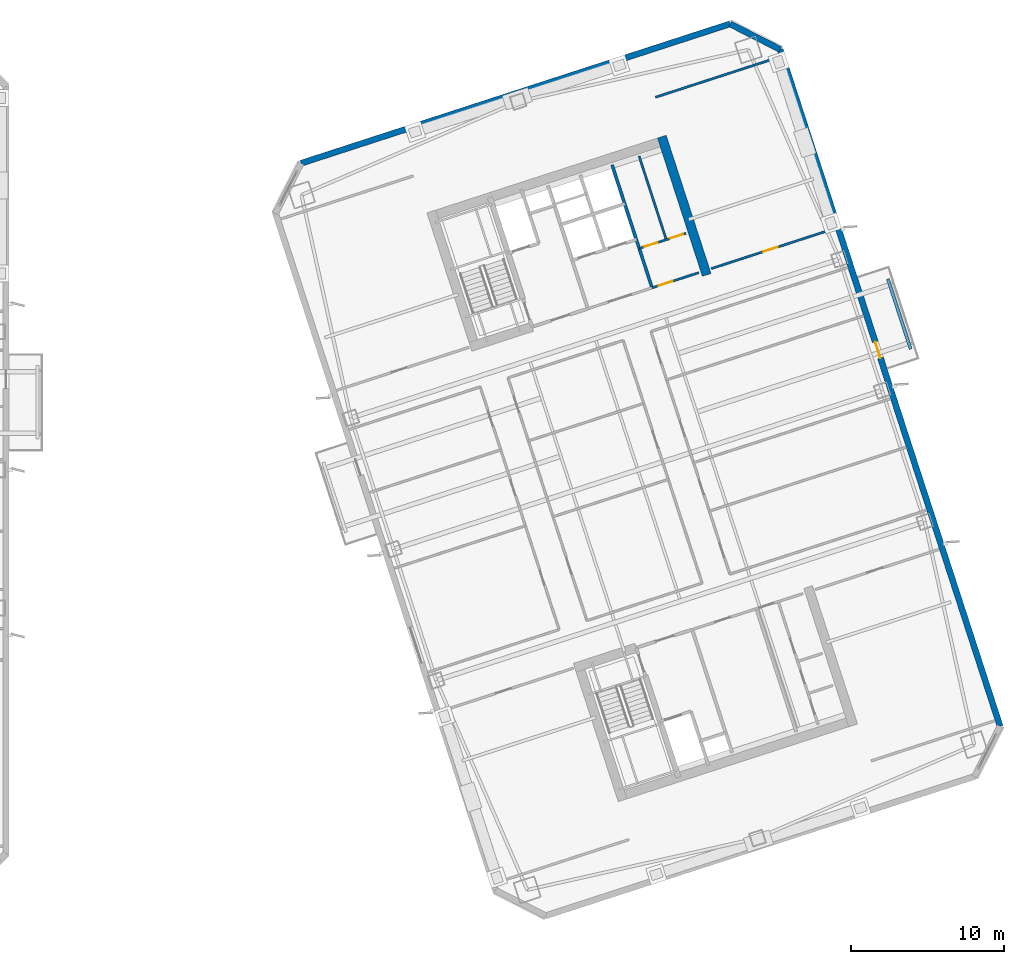
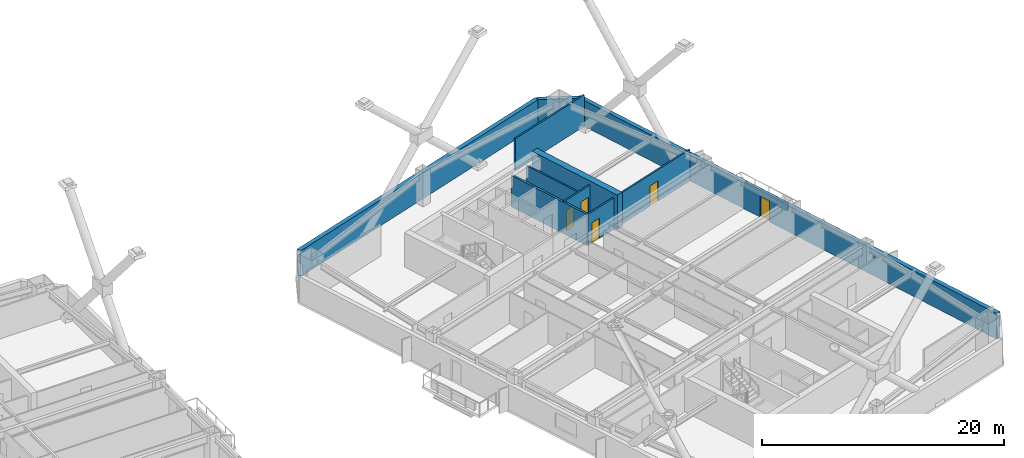
# One storey, part 17 of 24: 11 walls, 5 doors, 5 openings.
"""IFC4 building model written with IfcOpenShell, lengths in metres."""

from ifc_helpers import new_model, si_unit, direction, frame, frame_2d, origin, place, context, subcontext, project, spatial, rectangle, extrude, material, layer, layer_set, type_object, element, fill, save


model = new_model("IFC4")

# Units and contexts
model_context = context("Model", 3, precision=1e-05, world=origin(), true_north=direction((0.0, 1.0)))
body_context = subcontext(model_context, "Body", "Model", "MODEL_VIEW")
ifc_project = project(units=[si_unit("LENGTHUNIT", "METRE"), si_unit("AREAUNIT", "SQUARE_METRE"), si_unit("VOLUMEUNIT", "CUBIC_METRE"), si_unit("PLANEANGLEUNIT", "RADIAN"), si_unit("MASSUNIT", "GRAM", prefix="KILO")], contexts=[model_context])

# Site, building, storey
site_placement = place(None, origin())
site = spatial("IfcSite", under=ifc_project, at=site_placement, CompositionType="ELEMENT")
building_placement = place(site_placement, origin())
building = spatial("IfcBuilding", under=site, at=building_placement, Name="Qiaolan Cultural Towers", CompositionType="ELEMENT")
storey_placement = place(building_placement, frame((0.0, 0.0, 120.75)))
storey = spatial("IfcBuildingStorey", under=building, at=storey_placement, Name="L31", CompositionType="ELEMENT", Elevation=120.75)

# Walls
ifc_material_1 = material(Name="Concrete C55", Category="concrete")
ifc_layer_1 = layer(ifc_material_1, 0.60009765625)
ifc_layer_set_1 = layer_set([ifc_layer_1], Name="Concrete C55")
wall_type_1 = type_object("IfcWallType", Name="WL-CORE-600", PredefinedType="SHEAR", material=ifc_layer_set_1)
wall_1_placement = place(storey_placement, frame((94.4921875, 46.710205078125, 0.0), z_axis=(0.0, 0.0, 1.0), x_axis=(-0.309010370028, 0.95105866865, 0.0)))
element("IfcWall", 1, at=wall_1_placement, inside=storey, type_object=wall_type_1, Name="L31 T2-CN East Core Shear Wall", PredefinedType="SHEAR", context=body_context, shape_type="SweptSolid", body=[
    extrude(rectangle(XDim=9.47998046875, YDim=0.60009765625, at=frame_2d((4.739990234375, 0.0))), origin(), (0.0, 0.0, 1.0), 3.449951171875),
])
ifc_material_2 = material(Name="Precast Concrete C50 Honed Stone Pier", Category="masonry")
ifc_layer_2 = layer(ifc_material_2, 0.39990234375)
ifc_layer_set_2 = layer_set([ifc_layer_2], Name="Precast Concrete C50 Honed Stone Pier")
wall_type_2 = type_object("IfcWallType", Name="WL-EXT-PIER-400", PredefinedType="SOLIDWALL", material=ifc_layer_set_2)
wall_2_placement = place(storey_placement, frame((68.046875, 53.99462890625, 0.0), z_axis=(0.0, 0.0, 1.0), x_axis=(0.95105505922, 0.309021478754, 0.0)))
element("IfcWall", 2, at=wall_2_placement, inside=storey, type_object=wall_type_2, Name="L31 East Tower Precast Pier Facade Wall F3", PredefinedType="SOLIDWALL", context=body_context, shape_type="SweptSolid", body=[
    extrude(rectangle(XDim=29.39990234375, YDim=0.39990234375, at=frame_2d((14.699951171875, 0.0))), origin(), (0.0, 0.0, 1.0), 2.610107421875),
])
wall_3_placement = place(storey_placement, frame((96.0078125, 63.079833984375, 0.0), z_axis=(0.0, 0.0, 1.0), x_axis=(0.891001999643, -0.45399937955, 0.0)))
element("IfcWall", 3, at=wall_3_placement, inside=storey, type_object=wall_type_2, Name="L31 East Tower Precast Pier Facade Wall F4", PredefinedType="SOLIDWALL", context=body_context, shape_type="SweptSolid", body=[
    extrude(rectangle(XDim=3.67724609375, YDim=0.39990234375, at=frame_2d((1.838623046875, 0.0))), origin(), (0.0, 0.0, 1.0), 2.610107421875),
])

# Wall, opening, door
wall_4_placement = place(storey_placement, frame((99.2841796875, 61.410400390625, 0.0), z_axis=(0.0, 0.0, 1.0), x_axis=(0.309017542002, -0.95105633836, 0.0)))
wall_4 = element("IfcWall", 4, at=wall_4_placement, inside=storey, type_object=wall_type_2, Name="L31 East Tower Precast Pier Facade Wall F5", PredefinedType="SOLIDWALL", context=body_context, shape_type="SweptSolid", body=[
    extrude(rectangle(XDim=46.39990234375, YDim=0.39990234375, at=frame_2d((23.199951171875, 0.0))), origin(), (0.0, 0.0, 1.0), 2.610107421875),
])
opening_1_placement = place(wall_4_placement, frame((20.050048828125, 0.0, 0.0)))
opening_1 = element("IfcOpeningElement", 5, at=opening_1_placement, cuts=wall_4, Name="Opening BD-01", PredefinedType="OPENING", context=body_context, shape_type="SweptSolid", body=[
    extrude(rectangle(XDim=1.10009765625, YDim=2.14990234375, at=frame_2d((0.550048828125, 1.074951171875))), frame((0.0, 0.2099609375, 0.0), z_axis=(0.0, -1.0, 0.0), x_axis=(1.0, 0.0, 0.0)), (0.0, 0.0, 1.0), 0.419921875),
])
ifc_material_3 = material(Name="Thermally Broken Aluminium Glazed Terrace Door", Category="aluminium")
door_type_1 = type_object("IfcDoorType", Name="DR-BAL-1100", OperationType="NOTDEFINED", PredefinedType="DOOR", material=ifc_material_3)
door_1_placement = place(opening_1_placement, origin())
door_1 = element("IfcDoor", 6, at=door_1_placement, inside=storey, type_object=door_type_1, Name="L31 T2 East Tree Balcony Door", OperationType="SINGLE_SWING_RIGHT", OverallHeight=2.14990234375, OverallWidth=1.10009765625, PredefinedType="DOOR", context=body_context, shape_type="SweptSolid", body=[
    extrude(rectangle(XDim=1.10009765625, YDim=2.14990234375, at=frame_2d((0.550048828125, 1.074951171875))), frame((0.0, 0.02490234375, 0.0), z_axis=(0.0, -1.0, 0.0), x_axis=(1.0, 0.0, 0.0)), (0.0, 0.0, 1.0), 0.050048828125),
])
fill(opening_1, door_1)

# Wall
ifc_material_4 = material(Name="Concrete C35 Fire Wall", Category="concrete")
ifc_layer_3 = layer(ifc_material_4, 0.199951171875)
ifc_layer_set_3 = layer_set([ifc_layer_3], Name="Concrete C35 Fire Wall")
wall_type_3 = type_object("IfcWallType", Name="WL-FIRE-200", PredefinedType="PARTITIONING", material=ifc_layer_set_3)
wall_5_placement = place(storey_placement, frame((90.92822265625, 45.86767578125, 0.0), z_axis=(0.0, 0.0, 1.0), x_axis=(-0.309042196757, 0.951048327176, 0.0)))
element("IfcWall", 7, at=wall_5_placement, inside=storey, type_object=wall_type_3, Name="L31 T2-CN Lift Core East Wall", PredefinedType="PARTITIONING", context=body_context, shape_type="SweptSolid", body=[
    extrude(rectangle(XDim=8.429931640625, YDim=0.199951171875, at=frame_2d((4.21484375, 0.0))), origin(), (0.0, 0.0, 1.0), 3.175048828125),
])

# Wall, opening, door
ifc_material_5 = material(Name="Autoclaved Aerated Concrete Block B06", Category="concrete")
ifc_layer_4 = layer(ifc_material_5, 0.14990234375)
ifc_layer_set_4 = layer_set([ifc_layer_4], Name="Autoclaved Aerated Concrete Block B06")
wall_type_4 = type_object("IfcWallType", Name="WL-PART-150", PredefinedType="PARTITIONING", material=ifc_layer_set_4)
wall_6_placement = place(storey_placement, frame((90.92822265625, 45.86767578125, 0.0), z_axis=(0.0, 0.0, 1.0), x_axis=(0.951059297078, 0.309008435874, 0.0)))
wall_6 = element("IfcWall", 8, at=wall_6_placement, inside=storey, type_object=wall_type_4, Name="L31 T2-CN Sanitary Core Front Wall", PredefinedType="PARTITIONING", context=body_context, shape_type="SweptSolid", body=[
    extrude(rectangle(XDim=3.19970703125, YDim=0.14990234375, at=frame_2d((1.599853515625, 0.0))), origin(), (0.0, 0.0, 1.0), 3.175048828125),
])
opening_2_placement = place(wall_6_placement, frame((0.449951171875, 0.0, 0.0)))
opening_2 = element("IfcOpeningElement", 9, at=opening_2_placement, cuts=wall_6, Name="Opening ID-05", PredefinedType="OPENING", context=body_context, shape_type="SweptSolid", body=[
    extrude(rectangle(XDim=0.949951171875, YDim=2.050048828125, at=frame_2d((0.47509765625, 1.02490234375))), frame((0.0, 0.0849609375, 0.0), z_axis=(0.0, -1.0, 0.0), x_axis=(1.0, 0.0, 0.0)), (0.0, 0.0, 1.0), 0.169921875),
])
ifc_material_6 = material(Name="Fire-Rated Laminate Accessible Core Door", Category="timber")
door_type_2 = type_object("IfcDoorType", Name="DR-INT-950", OperationType="NOTDEFINED", PredefinedType="DOOR", material=ifc_material_6)
door_2_placement = place(opening_2_placement, origin())
door_2 = element("IfcDoor", 10, at=door_2_placement, inside=storey, type_object=door_type_2, Name="L31 Sanitary Vestibule Door", OperationType="SINGLE_SWING_LEFT", OverallHeight=2.050048828125, OverallWidth=0.949951171875, PredefinedType="DOOR", context=body_context, shape_type="SweptSolid", body=[
    extrude(rectangle(XDim=0.949951171875, YDim=2.050048828125, at=frame_2d((0.47509765625, 1.02490234375))), frame((0.0, 0.02490234375, 0.0), z_axis=(0.0, -1.0, 0.0), x_axis=(1.0, 0.0, 0.0)), (0.0, 0.0, 1.0), 0.050048828125),
])
fill(opening_2, door_2)

# Wall, openings, doors
wall_7_placement = place(storey_placement, frame((90.09375, 48.435546875, 0.0), z_axis=(0.0, 0.0, 1.0), x_axis=(0.951066581729, 0.308986014439, 0.0)))
wall_7 = element("IfcWall", 11, at=wall_7_placement, inside=storey, type_object=wall_type_4, Name="L31 T2-CN Restroom Vestibule Wall", PredefinedType="PARTITIONING", context=body_context, shape_type="SweptSolid", body=[
    extrude(rectangle(XDim=3.199951171875, YDim=0.14990234375, at=frame_2d((1.60009765625, 0.0))), origin(), (0.0, 0.0, 1.0), 3.175048828125),
])
opening_3_placement = place(wall_7_placement, frame((0.35009765625, 0.0, 0.0)))
opening_3 = element("IfcOpeningElement", 12, at=opening_3_placement, cuts=wall_7, Name="Opening ID-06", PredefinedType="OPENING", context=body_context, shape_type="SweptSolid", body=[
    extrude(rectangle(XDim=0.89990234375, YDim=2.050048828125, at=frame_2d((0.449951171875, 1.02490234375))), frame((0.0, 0.0849609375, 0.0), z_axis=(0.0, -1.0, 0.0), x_axis=(1.0, 0.0, 0.0)), (0.0, 0.0, 1.0), 0.169921875),
])
opening_4_placement = place(wall_7_placement, frame((2.10009765625, 0.0, 0.0)))
opening_4 = element("IfcOpeningElement", 13, at=opening_4_placement, cuts=wall_7, Name="Opening ID-06", PredefinedType="OPENING", context=body_context, shape_type="SweptSolid", body=[
    extrude(rectangle(XDim=0.89990234375, YDim=2.050048828125, at=frame_2d((0.449951171875, 1.02490234375))), frame((0.0, 0.0849609375, 0.0), z_axis=(0.0, -1.0, 0.0), x_axis=(1.0, 0.0, 0.0)), (0.0, 0.0, 1.0), 0.169921875),
])
ifc_material_7 = material(Name="Fire-Rated Laminate Core Service Door", Category="timber")
door_type_3 = type_object("IfcDoorType", Name="DR-INT-900", OperationType="NOTDEFINED", PredefinedType="DOOR", material=ifc_material_7)
door_3_placement = place(opening_3_placement, origin())
door_3 = element("IfcDoor", 14, at=door_3_placement, inside=storey, type_object=door_type_3, Name="L31 Men Restroom Door", OperationType="SINGLE_SWING_LEFT", OverallHeight=2.050048828125, OverallWidth=0.89990234375, PredefinedType="DOOR", context=body_context, shape_type="SweptSolid", body=[
    extrude(rectangle(XDim=0.89990234375, YDim=2.050048828125, at=frame_2d((0.449951171875, 1.02490234375))), frame((0.0, 0.02490234375, 0.0), z_axis=(0.0, -1.0, 0.0), x_axis=(1.0, 0.0, 0.0)), (0.0, 0.0, 1.0), 0.050048828125),
])
fill(opening_3, door_3)
door_4_placement = place(opening_4_placement, origin())
door_4 = element("IfcDoor", 15, at=door_4_placement, inside=storey, type_object=door_type_3, Name="L31 Accessible & Women Restroom Door", OperationType="SINGLE_SWING_RIGHT", OverallHeight=2.050048828125, OverallWidth=0.89990234375, PredefinedType="DOOR", context=body_context, shape_type="SweptSolid", body=[
    extrude(rectangle(XDim=0.89990234375, YDim=2.050048828125, at=frame_2d((0.449951171875, 1.02490234375))), frame((0.0, 0.02490234375, 0.0), z_axis=(0.0, -1.0, 0.0), x_axis=(1.0, 0.0, 0.0)), (0.0, 0.0, 1.0), 0.050048828125),
])
fill(opening_4, door_4)

# Walls
wall_8_placement = place(storey_placement, frame((91.853271484375, 49.007080078125, 0.0), z_axis=(0.0, 0.0, 1.0), x_axis=(-0.309022487551, 0.951054731437, 0.0)))
element("IfcWall", 16, at=wall_8_placement, inside=storey, type_object=wall_type_4, Name="L31 T2-CN Restroom Divider Wall", PredefinedType="PARTITIONING", context=body_context, shape_type="SweptSolid", body=[
    extrude(rectangle(XDim=5.730224609375, YDim=0.14990234375, at=frame_2d((2.865234375, 0.0))), origin(), (0.0, 0.0, 1.0), 3.175048828125),
])
wall_9_placement = place(storey_placement, frame((91.14892578125, 58.294189453125, 0.0), z_axis=(0.0, 0.0, 1.0), x_axis=(0.951062770994, 0.308997743729, 0.0)))
element("IfcWall", 17, at=wall_9_placement, inside=storey, type_object=wall_type_4, Name="L31 T2 Flank Wall FLK-NE", PredefinedType="PARTITIONING", context=body_context, shape_type="SweptSolid", body=[
    extrude(rectangle(XDim=8.5, YDim=0.14990234375, at=frame_2d((4.25, 0.0))), origin(), (0.0, 0.0, 1.0), 3.175048828125),
])

# Wall, opening, door
wall_10_placement = place(storey_placement, frame((94.77978515625, 47.119140625, 0.0), z_axis=(0.0, 0.0, 1.0), x_axis=(0.951054329824, 0.309023723562, 0.0)))
wall_10 = element("IfcWall", 18, at=wall_10_placement, inside=storey, type_object=wall_type_4, Name="L31 T2 Flank Front FLK-NE", PredefinedType="PARTITIONING", context=body_context, shape_type="SweptSolid", body=[
    extrude(rectangle(XDim=8.5, YDim=0.14990234375, at=frame_2d((4.25, 0.0))), origin(), (0.0, 0.0, 1.0), 3.175048828125),
])
opening_5_placement = place(wall_10_placement, frame((3.570068359375, 0.0, 0.0)))
opening_5 = element("IfcOpeningElement", 19, at=opening_5_placement, cuts=wall_10, Name="Opening ID-04", PredefinedType="OPENING", context=body_context, shape_type="SweptSolid", body=[
    extrude(rectangle(XDim=1.0, YDim=2.050048828125, at=frame_2d((0.5, 1.02490234375))), frame((0.0, 0.0849609375, 0.0), z_axis=(0.0, -1.0, 0.0), x_axis=(1.0, 0.0, 0.0)), (0.0, 0.0, 1.0), 0.169921875),
])
ifc_material_8 = material(Name="Oak Veneer Acoustic Office Door", Category="timber")
door_type_4 = type_object("IfcDoorType", Name="DR-INT-1000", OperationType="NOTDEFINED", PredefinedType="DOOR", material=ifc_material_8)
door_5_placement = place(opening_5_placement, origin())
door_5 = element("IfcDoor", 20, at=door_5_placement, inside=storey, type_object=door_type_4, Name="L31 T2 Corner Studio Door", OperationType="SINGLE_SWING_LEFT", OverallHeight=2.050048828125, OverallWidth=1.0, PredefinedType="DOOR", context=body_context, shape_type="SweptSolid", body=[
    extrude(rectangle(XDim=1.0, YDim=2.050048828125, at=frame_2d((0.5, 1.02490234375))), frame((0.0, 0.02490234375, 0.0), z_axis=(0.0, -1.0, 0.0), x_axis=(1.0, 0.0, 0.0)), (0.0, 0.0, 1.0), 0.050048828125),
])
fill(opening_5, door_5)

# Wall
ifc_material_9 = material(Name="Precast Concrete C45 Tree Planter Upstand", Category="concrete")
ifc_layer_5 = layer(ifc_material_9, 0.199951171875)
ifc_layer_set_5 = layer_set([ifc_layer_5], Name="Precast Concrete C45 Tree Planter Upstand")
wall_type_5 = type_object("IfcWallType", Name="WL-PLANTER-200", PredefinedType="PARAPET", material=ifc_layer_set_5)
wall_11_placement = place(storey_placement, frame((107.784912109375, 41.881591796875, 0.0), z_axis=(0.0, 0.0, 1.0), x_axis=(-0.309032019345, 0.951051634255, 0.0)))
element("IfcWall", 21, at=wall_11_placement, inside=storey, type_object=wall_type_5, Name="L31 T2 Tree Balcony Soil Planter Box E", PredefinedType="PARAPET", context=body_context, shape_type="SweptSolid", body=[
    extrude(rectangle(XDim=4.800048828125, YDim=0.199951171875, at=frame_2d((2.39990234375, 0.0))), origin(), (0.0, 0.0, 1.0), 0.75),
])

save(model, "model.ifc")
